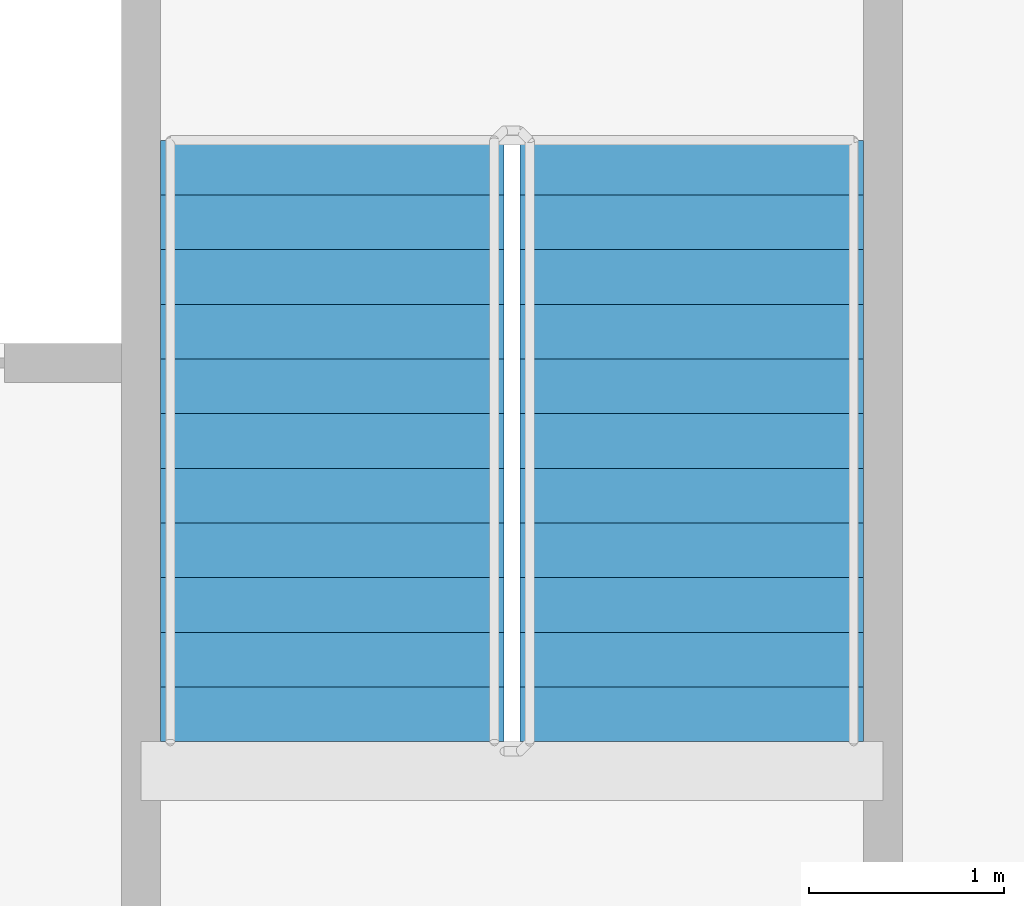
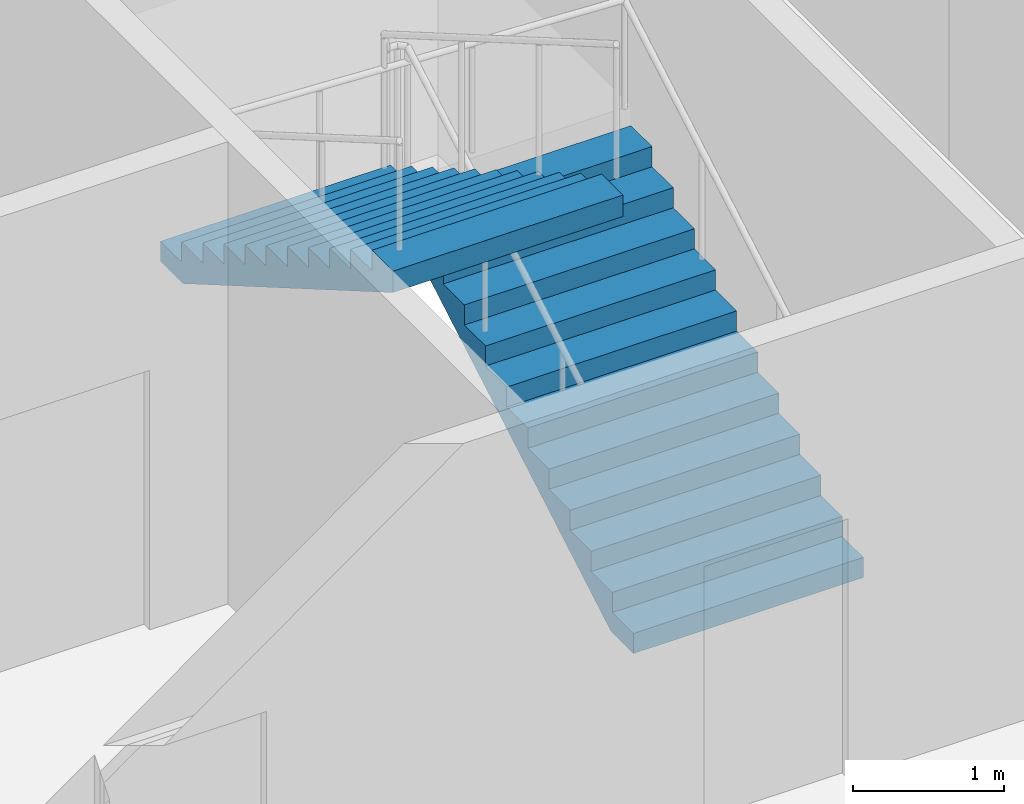
# One storey, part 11 of 17: 2 stair flights, 1 element without a shape of its own.
"""IFC4 building model written with IfcOpenShell, lengths in metres."""

from ifc_helpers import new_model, si_unit, direction, frame, origin, place, context, subcontext, project, spatial, faceted_brep, material, type_object, element, aggregate, save


model = new_model("IFC4")

# Units and contexts
model_context = context("Model", 3, precision=1e-05, world=origin(), true_north=direction((0.0, 1.0)))
body_context = subcontext(model_context, "Body", "Model", "MODEL_VIEW")
ifc_project = project(units=[si_unit("LENGTHUNIT", "METRE"), si_unit("AREAUNIT", "SQUARE_METRE"), si_unit("VOLUMEUNIT", "CUBIC_METRE"), si_unit("PLANEANGLEUNIT", "RADIAN"), si_unit("MASSUNIT", "GRAM", prefix="KILO")], contexts=[model_context])

# Site, building, storey
site_placement = place(None, origin())
site = spatial("IfcSite", under=ifc_project, at=site_placement, CompositionType="ELEMENT")
building_placement = place(site_placement, origin())
building = spatial("IfcBuilding", under=site, at=building_placement, Name="Tarsis Ring Headquarters", CompositionType="ELEMENT")
storey_placement = place(building_placement, frame((0.0, 0.0, 127.89990234375)))
storey = spatial("IfcBuildingStorey", under=building, at=storey_placement, Name="L29", CompositionType="ELEMENT", Elevation=127.89990234375)

# Stair, stair flights
ifc_material_1 = material(Name="Core stair 1760")
stair_type = type_object("IfcStairType", Name="Core stair 1760", PredefinedType="HALF_TURN_STAIR", material=ifc_material_1)
stair_placement = place(storey_placement, origin())
stair = element("IfcStair", 1, at=stair_placement, inside=storey, type_object=stair_type, Name="L29 Exit stair B", PredefinedType="HALF_TURN_STAIR")
ifc_material_2 = material(Name="Concrete C40/50", Category="concrete")
stair_flight_type = type_object("IfcStairFlightType", Name="Core stair flight 1760", PredefinedType="STRAIGHT", material=ifc_material_2)
stair_flight_1_placement = place(storey_placement, frame((5.419921875, 3.659912109375, 0.0), z_axis=(0.0, 0.0, 1.0), x_axis=(0.0, 1.0, 0.0)))
stair_flight_1 = element("IfcStairFlight", 2, at=stair_flight_1_placement, type_object=stair_flight_type, Name="Stair ST2 flight 1", NumberOfRisers=12, NumberOfTreads=11, PredefinedType="STRAIGHT", RiserHeight=0.1625, TreadLength=0.28, context=body_context, shape_type="Brep", body=[
    faceted_brep([(0.0, 0.8798828125, 0.0), (0.0, 0.8798828125, 0.16259765625), (0.280029296875, 0.8798828125, 0.16259765625), (0.280029296875, 0.8798828125, 0.324951171875), (0.56005859375, 0.8798828125, 0.324951171875), (0.56005859375, 0.8798828125, 0.487548828125), (0.840087890625, 0.8798828125, 0.487548828125), (0.840087890625, 0.8798828125, 0.64990234375), (1.1201171875, 0.8798828125, 0.64990234375), (1.1201171875, 0.8798828125, 0.8125), (1.39990234375, 0.8798828125, 0.8125), (1.39990234375, 0.8798828125, 0.97509765625), (1.679931640625, 0.8798828125, 0.97509765625), (1.679931640625, 0.8798828125, 1.137451171875), (1.9599609375, 0.8798828125, 1.137451171875), (1.9599609375, 0.8798828125, 1.300048828125), (2.239990234375, 0.8798828125, 1.300048828125), (2.239990234375, 0.8798828125, 1.46240234375), (2.52001953125, 0.8798828125, 1.46240234375), (2.52001953125, 0.8798828125, 1.625), (2.800048828125, 0.8798828125, 1.625), (2.800048828125, 0.8798828125, 1.78759765625), (3.080078125, 0.8798828125, 1.78759765625), (3.080078125, 0.8798828125, 1.6142578125), (0.298583984375, 0.8798828125, 0.0), (0.298583984375, -0.8798828125, 0.0), (3.080078125, -0.8798828125, 1.6142578125), (3.080078125, -0.8798828125, 1.78759765625), (2.800048828125, -0.8798828125, 1.78759765625), (2.800048828125, -0.8798828125, 1.625), (2.52001953125, -0.8798828125, 1.625), (2.52001953125, -0.8798828125, 1.46240234375), (2.239990234375, -0.8798828125, 1.46240234375), (2.239990234375, -0.8798828125, 1.300048828125), (1.9599609375, -0.8798828125, 1.300048828125), (1.9599609375, -0.8798828125, 1.137451171875), (1.679931640625, -0.8798828125, 1.137451171875), (1.679931640625, -0.8798828125, 0.97509765625), (1.39990234375, -0.8798828125, 0.97509765625), (1.39990234375, -0.8798828125, 0.8125), (1.1201171875, -0.8798828125, 0.8125), (1.1201171875, -0.8798828125, 0.64990234375), (0.840087890625, -0.8798828125, 0.64990234375), (0.840087890625, -0.8798828125, 0.487548828125), (0.56005859375, -0.8798828125, 0.487548828125), (0.56005859375, -0.8798828125, 0.324951171875), (0.280029296875, -0.8798828125, 0.324951171875), (0.280029296875, -0.8798828125, 0.16259765625), (0.0, -0.8798828125, 0.16259765625), (0.0, -0.8798828125, 0.0), (0.0, -0.43994140625, 0.16259765625), (0.0, -0.43994140625, 0.0), (0.0, 0.0, 0.16259765625), (0.0, 0.0, 0.0), (0.0, 0.43994140625, 0.16259765625), (0.0, 0.43994140625, 0.0), (0.280029296875, -0.43994140625, 0.16259765625), (0.280029296875, 0.0, 0.16259765625), (0.280029296875, 0.43994140625, 0.16259765625), (0.280029296875, -0.43994140625, 0.324951171875), (0.280029296875, 0.0, 0.324951171875), (0.280029296875, 0.43994140625, 0.324951171875), (0.56005859375, -0.43994140625, 0.324951171875), (0.56005859375, 0.0, 0.324951171875), (0.56005859375, 0.43994140625, 0.324951171875), (0.56005859375, -0.43994140625, 0.487548828125), (0.56005859375, 0.0, 0.487548828125), (0.56005859375, 0.43994140625, 0.487548828125), (0.840087890625, -0.43994140625, 0.487548828125), (0.840087890625, 0.0, 0.487548828125), (0.840087890625, 0.43994140625, 0.487548828125), (0.840087890625, -0.43994140625, 0.64990234375), (0.840087890625, 0.0, 0.64990234375), (0.840087890625, 0.43994140625, 0.64990234375), (1.1201171875, -0.43994140625, 0.64990234375), (1.1201171875, 0.0, 0.64990234375), (1.1201171875, 0.43994140625, 0.64990234375), (1.1201171875, -0.43994140625, 0.8125), (1.1201171875, 0.0, 0.8125), (1.1201171875, 0.43994140625, 0.8125), (1.39990234375, -0.43994140625, 0.8125), (1.39990234375, 0.0, 0.8125), (1.39990234375, 0.43994140625, 0.8125), (1.39990234375, -0.43994140625, 0.97509765625), (1.39990234375, 0.0, 0.97509765625), (1.39990234375, 0.43994140625, 0.97509765625), (1.679931640625, -0.43994140625, 0.97509765625), (1.679931640625, 0.0, 0.97509765625), (1.679931640625, 0.43994140625, 0.97509765625), (1.679931640625, -0.43994140625, 1.137451171875), (1.679931640625, 0.0, 1.137451171875), (1.679931640625, 0.43994140625, 1.137451171875), (1.9599609375, -0.43994140625, 1.137451171875), (1.9599609375, 0.0, 1.137451171875), (1.9599609375, 0.43994140625, 1.137451171875), (1.9599609375, -0.43994140625, 1.300048828125), (1.9599609375, 0.0, 1.300048828125), (1.9599609375, 0.43994140625, 1.300048828125), (2.239990234375, -0.43994140625, 1.300048828125), (2.239990234375, 0.0, 1.300048828125), (2.239990234375, 0.43994140625, 1.300048828125), (2.239990234375, -0.43994140625, 1.46240234375), (2.239990234375, 0.0, 1.46240234375), (2.239990234375, 0.43994140625, 1.46240234375), (2.52001953125, -0.43994140625, 1.46240234375), (2.52001953125, 0.0, 1.46240234375), (2.52001953125, 0.43994140625, 1.46240234375), (2.52001953125, -0.43994140625, 1.625), (2.52001953125, 0.0, 1.625), (2.52001953125, 0.43994140625, 1.625), (2.800048828125, -0.43994140625, 1.625), (2.800048828125, 0.0, 1.625), (2.800048828125, 0.43994140625, 1.625), (2.800048828125, -0.43994140625, 1.78759765625), (2.800048828125, 0.0, 1.78759765625), (2.800048828125, 0.43994140625, 1.78759765625), (3.080078125, -0.43994140625, 1.78759765625), (3.080078125, 0.0, 1.78759765625), (3.080078125, 0.43994140625, 1.78759765625), (3.080078125, -0.43994140625, 1.6142578125), (3.080078125, 0.0, 1.6142578125), (3.080078125, 0.43994140625, 1.6142578125), (0.298583984375, -0.43994140625, 0.0), (0.298583984375, 0.0, 0.0), (0.298583984375, 0.43994140625, 0.0)], [[[0, 1, 2, 3, 4, 5, 6, 7, 8, 9, 10, 11, 12, 13, 14, 15, 16, 17, 18, 19, 20, 21, 22, 23, 24]], [[25, 26, 27, 28, 29, 30, 31, 32, 33, 34, 35, 36, 37, 38, 39, 40, 41, 42, 43, 44, 45, 46, 47, 48, 49]], [[49, 48, 50, 51]], [[51, 50, 52, 53]], [[53, 52, 54, 55]], [[55, 54, 1, 0]], [[48, 47, 56, 50]], [[50, 56, 57, 52]], [[52, 57, 58, 54]], [[54, 58, 2, 1]], [[47, 46, 59, 56]], [[56, 59, 60, 57]], [[57, 60, 61, 58]], [[58, 61, 3, 2]], [[46, 45, 62, 59]], [[59, 62, 63, 60]], [[60, 63, 64, 61]], [[61, 64, 4, 3]], [[45, 44, 65, 62]], [[62, 65, 66, 63]], [[63, 66, 67, 64]], [[64, 67, 5, 4]], [[44, 43, 68, 65]], [[65, 68, 69, 66]], [[66, 69, 70, 67]], [[67, 70, 6, 5]], [[43, 42, 71, 68]], [[68, 71, 72, 69]], [[69, 72, 73, 70]], [[70, 73, 7, 6]], [[42, 41, 74, 71]], [[71, 74, 75, 72]], [[72, 75, 76, 73]], [[73, 76, 8, 7]], [[41, 40, 77, 74]], [[74, 77, 78, 75]], [[75, 78, 79, 76]], [[76, 79, 9, 8]], [[40, 39, 80, 77]], [[77, 80, 81, 78]], [[78, 81, 82, 79]], [[79, 82, 10, 9]], [[39, 38, 83, 80]], [[80, 83, 84, 81]], [[81, 84, 85, 82]], [[82, 85, 11, 10]], [[38, 37, 86, 83]], [[83, 86, 87, 84]], [[84, 87, 88, 85]], [[85, 88, 12, 11]], [[37, 36, 89, 86]], [[86, 89, 90, 87]], [[87, 90, 91, 88]], [[88, 91, 13, 12]], [[36, 35, 92, 89]], [[89, 92, 93, 90]], [[90, 93, 94, 91]], [[91, 94, 14, 13]], [[35, 34, 95, 92]], [[92, 95, 96, 93]], [[93, 96, 97, 94]], [[94, 97, 15, 14]], [[34, 33, 98, 95]], [[95, 98, 99, 96]], [[96, 99, 100, 97]], [[97, 100, 16, 15]], [[33, 32, 101, 98]], [[98, 101, 102, 99]], [[99, 102, 103, 100]], [[100, 103, 17, 16]], [[32, 31, 104, 101]], [[101, 104, 105, 102]], [[102, 105, 106, 103]], [[103, 106, 18, 17]], [[31, 30, 107, 104]], [[104, 107, 108, 105]], [[105, 108, 109, 106]], [[106, 109, 19, 18]], [[30, 29, 110, 107]], [[107, 110, 111, 108]], [[108, 111, 112, 109]], [[109, 112, 20, 19]], [[29, 28, 113, 110]], [[110, 113, 114, 111]], [[111, 114, 115, 112]], [[112, 115, 21, 20]], [[28, 27, 116, 113]], [[113, 116, 117, 114]], [[114, 117, 118, 115]], [[115, 118, 22, 21]], [[27, 26, 119, 116]], [[116, 119, 120, 117]], [[117, 120, 121, 118]], [[118, 121, 23, 22]], [[26, 25, 122, 119]], [[119, 122, 123, 120]], [[120, 123, 124, 121]], [[121, 124, 24, 23]], [[25, 49, 51, 122]], [[122, 51, 53, 123]], [[123, 53, 55, 124]], [[124, 55, 0, 24]]]),
])
stair_flight_2_placement = place(storey_placement, frame((3.580078125, 6.739990234375, 1.9501953125), z_axis=(0.0, 0.0, 1.0), x_axis=(0.0, -1.0, 0.0)))
stair_flight_2 = element("IfcStairFlight", 3, at=stair_flight_2_placement, type_object=stair_flight_type, Name="Stair ST2 flight 2", NumberOfRisers=12, NumberOfTreads=11, PredefinedType="STRAIGHT", RiserHeight=0.1625, TreadLength=0.28, context=body_context, shape_type="Brep", body=[
    faceted_brep([(0.0, 0.8798828125, 0.0), (0.0, 0.8798828125, 0.16259765625), (0.280029296875, 0.8798828125, 0.16259765625), (0.280029296875, 0.8798828125, 0.324951171875), (0.56005859375, 0.8798828125, 0.324951171875), (0.56005859375, 0.8798828125, 0.487548828125), (0.840087890625, 0.8798828125, 0.487548828125), (0.840087890625, 0.8798828125, 0.64990234375), (1.1201171875, 0.8798828125, 0.64990234375), (1.1201171875, 0.8798828125, 0.8125), (1.39990234375, 0.8798828125, 0.8125), (1.39990234375, 0.8798828125, 0.97509765625), (1.679931640625, 0.8798828125, 0.97509765625), (1.679931640625, 0.8798828125, 1.137451171875), (1.9599609375, 0.8798828125, 1.137451171875), (1.9599609375, 0.8798828125, 1.300048828125), (2.239990234375, 0.8798828125, 1.300048828125), (2.239990234375, 0.8798828125, 1.46240234375), (2.52001953125, 0.8798828125, 1.46240234375), (2.52001953125, 0.8798828125, 1.625), (2.800048828125, 0.8798828125, 1.625), (2.800048828125, 0.8798828125, 1.78759765625), (3.080078125, 0.8798828125, 1.78759765625), (3.080078125, 0.8798828125, 1.6142578125), (0.298583984375, 0.8798828125, 0.0), (0.298583984375, -0.8798828125, 0.0), (3.080078125, -0.8798828125, 1.6142578125), (3.080078125, -0.8798828125, 1.78759765625), (2.800048828125, -0.8798828125, 1.78759765625), (2.800048828125, -0.8798828125, 1.625), (2.52001953125, -0.8798828125, 1.625), (2.52001953125, -0.8798828125, 1.46240234375), (2.239990234375, -0.8798828125, 1.46240234375), (2.239990234375, -0.8798828125, 1.300048828125), (1.9599609375, -0.8798828125, 1.300048828125), (1.9599609375, -0.8798828125, 1.137451171875), (1.679931640625, -0.8798828125, 1.137451171875), (1.679931640625, -0.8798828125, 0.97509765625), (1.39990234375, -0.8798828125, 0.97509765625), (1.39990234375, -0.8798828125, 0.8125), (1.1201171875, -0.8798828125, 0.8125), (1.1201171875, -0.8798828125, 0.64990234375), (0.840087890625, -0.8798828125, 0.64990234375), (0.840087890625, -0.8798828125, 0.487548828125), (0.56005859375, -0.8798828125, 0.487548828125), (0.56005859375, -0.8798828125, 0.324951171875), (0.280029296875, -0.8798828125, 0.324951171875), (0.280029296875, -0.8798828125, 0.16259765625), (0.0, -0.8798828125, 0.16259765625), (0.0, -0.8798828125, 0.0), (0.0, -0.43994140625, 0.16259765625), (0.0, -0.43994140625, 0.0), (0.0, 0.0, 0.16259765625), (0.0, 0.0, 0.0), (0.0, 0.43994140625, 0.16259765625), (0.0, 0.43994140625, 0.0), (0.280029296875, -0.43994140625, 0.16259765625), (0.280029296875, 0.0, 0.16259765625), (0.280029296875, 0.43994140625, 0.16259765625), (0.280029296875, -0.43994140625, 0.324951171875), (0.280029296875, 0.0, 0.324951171875), (0.280029296875, 0.43994140625, 0.324951171875), (0.56005859375, -0.43994140625, 0.324951171875), (0.56005859375, 0.0, 0.324951171875), (0.56005859375, 0.43994140625, 0.324951171875), (0.56005859375, -0.43994140625, 0.487548828125), (0.56005859375, 0.0, 0.487548828125), (0.56005859375, 0.43994140625, 0.487548828125), (0.840087890625, -0.43994140625, 0.487548828125), (0.840087890625, 0.0, 0.487548828125), (0.840087890625, 0.43994140625, 0.487548828125), (0.840087890625, -0.43994140625, 0.64990234375), (0.840087890625, 0.0, 0.64990234375), (0.840087890625, 0.43994140625, 0.64990234375), (1.1201171875, -0.43994140625, 0.64990234375), (1.1201171875, 0.0, 0.64990234375), (1.1201171875, 0.43994140625, 0.64990234375), (1.1201171875, -0.43994140625, 0.8125), (1.1201171875, 0.0, 0.8125), (1.1201171875, 0.43994140625, 0.8125), (1.39990234375, -0.43994140625, 0.8125), (1.39990234375, 0.0, 0.8125), (1.39990234375, 0.43994140625, 0.8125), (1.39990234375, -0.43994140625, 0.97509765625), (1.39990234375, 0.0, 0.97509765625), (1.39990234375, 0.43994140625, 0.97509765625), (1.679931640625, -0.43994140625, 0.97509765625), (1.679931640625, 0.0, 0.97509765625), (1.679931640625, 0.43994140625, 0.97509765625), (1.679931640625, -0.43994140625, 1.137451171875), (1.679931640625, 0.0, 1.137451171875), (1.679931640625, 0.43994140625, 1.137451171875), (1.9599609375, -0.43994140625, 1.137451171875), (1.9599609375, 0.0, 1.137451171875), (1.9599609375, 0.43994140625, 1.137451171875), (1.9599609375, -0.43994140625, 1.300048828125), (1.9599609375, 0.0, 1.300048828125), (1.9599609375, 0.43994140625, 1.300048828125), (2.239990234375, -0.43994140625, 1.300048828125), (2.239990234375, 0.0, 1.300048828125), (2.239990234375, 0.43994140625, 1.300048828125), (2.239990234375, -0.43994140625, 1.46240234375), (2.239990234375, 0.0, 1.46240234375), (2.239990234375, 0.43994140625, 1.46240234375), (2.52001953125, -0.43994140625, 1.46240234375), (2.52001953125, 0.0, 1.46240234375), (2.52001953125, 0.43994140625, 1.46240234375), (2.52001953125, -0.43994140625, 1.625), (2.52001953125, 0.0, 1.625), (2.52001953125, 0.43994140625, 1.625), (2.800048828125, -0.43994140625, 1.625), (2.800048828125, 0.0, 1.625), (2.800048828125, 0.43994140625, 1.625), (2.800048828125, -0.43994140625, 1.78759765625), (2.800048828125, 0.0, 1.78759765625), (2.800048828125, 0.43994140625, 1.78759765625), (3.080078125, -0.43994140625, 1.78759765625), (3.080078125, 0.0, 1.78759765625), (3.080078125, 0.43994140625, 1.78759765625), (3.080078125, -0.43994140625, 1.6142578125), (3.080078125, 0.0, 1.6142578125), (3.080078125, 0.43994140625, 1.6142578125), (0.298583984375, -0.43994140625, 0.0), (0.298583984375, 0.0, 0.0), (0.298583984375, 0.43994140625, 0.0)], [[[0, 1, 2, 3, 4, 5, 6, 7, 8, 9, 10, 11, 12, 13, 14, 15, 16, 17, 18, 19, 20, 21, 22, 23, 24]], [[25, 26, 27, 28, 29, 30, 31, 32, 33, 34, 35, 36, 37, 38, 39, 40, 41, 42, 43, 44, 45, 46, 47, 48, 49]], [[49, 48, 50, 51]], [[51, 50, 52, 53]], [[53, 52, 54, 55]], [[55, 54, 1, 0]], [[48, 47, 56, 50]], [[50, 56, 57, 52]], [[52, 57, 58, 54]], [[54, 58, 2, 1]], [[47, 46, 59, 56]], [[56, 59, 60, 57]], [[57, 60, 61, 58]], [[58, 61, 3, 2]], [[46, 45, 62, 59]], [[59, 62, 63, 60]], [[60, 63, 64, 61]], [[61, 64, 4, 3]], [[45, 44, 65, 62]], [[62, 65, 66, 63]], [[63, 66, 67, 64]], [[64, 67, 5, 4]], [[44, 43, 68, 65]], [[65, 68, 69, 66]], [[66, 69, 70, 67]], [[67, 70, 6, 5]], [[43, 42, 71, 68]], [[68, 71, 72, 69]], [[69, 72, 73, 70]], [[70, 73, 7, 6]], [[42, 41, 74, 71]], [[71, 74, 75, 72]], [[72, 75, 76, 73]], [[73, 76, 8, 7]], [[41, 40, 77, 74]], [[74, 77, 78, 75]], [[75, 78, 79, 76]], [[76, 79, 9, 8]], [[40, 39, 80, 77]], [[77, 80, 81, 78]], [[78, 81, 82, 79]], [[79, 82, 10, 9]], [[39, 38, 83, 80]], [[80, 83, 84, 81]], [[81, 84, 85, 82]], [[82, 85, 11, 10]], [[38, 37, 86, 83]], [[83, 86, 87, 84]], [[84, 87, 88, 85]], [[85, 88, 12, 11]], [[37, 36, 89, 86]], [[86, 89, 90, 87]], [[87, 90, 91, 88]], [[88, 91, 13, 12]], [[36, 35, 92, 89]], [[89, 92, 93, 90]], [[90, 93, 94, 91]], [[91, 94, 14, 13]], [[35, 34, 95, 92]], [[92, 95, 96, 93]], [[93, 96, 97, 94]], [[94, 97, 15, 14]], [[34, 33, 98, 95]], [[95, 98, 99, 96]], [[96, 99, 100, 97]], [[97, 100, 16, 15]], [[33, 32, 101, 98]], [[98, 101, 102, 99]], [[99, 102, 103, 100]], [[100, 103, 17, 16]], [[32, 31, 104, 101]], [[101, 104, 105, 102]], [[102, 105, 106, 103]], [[103, 106, 18, 17]], [[31, 30, 107, 104]], [[104, 107, 108, 105]], [[105, 108, 109, 106]], [[106, 109, 19, 18]], [[30, 29, 110, 107]], [[107, 110, 111, 108]], [[108, 111, 112, 109]], [[109, 112, 20, 19]], [[29, 28, 113, 110]], [[110, 113, 114, 111]], [[111, 114, 115, 112]], [[112, 115, 21, 20]], [[28, 27, 116, 113]], [[113, 116, 117, 114]], [[114, 117, 118, 115]], [[115, 118, 22, 21]], [[27, 26, 119, 116]], [[116, 119, 120, 117]], [[117, 120, 121, 118]], [[118, 121, 23, 22]], [[26, 25, 122, 119]], [[119, 122, 123, 120]], [[120, 123, 124, 121]], [[121, 124, 24, 23]], [[25, 49, 51, 122]], [[122, 51, 53, 123]], [[123, 53, 55, 124]], [[124, 55, 0, 24]]]),
])
aggregate(stair, [stair_flight_1, stair_flight_2])

save(model, "model.ifc")
